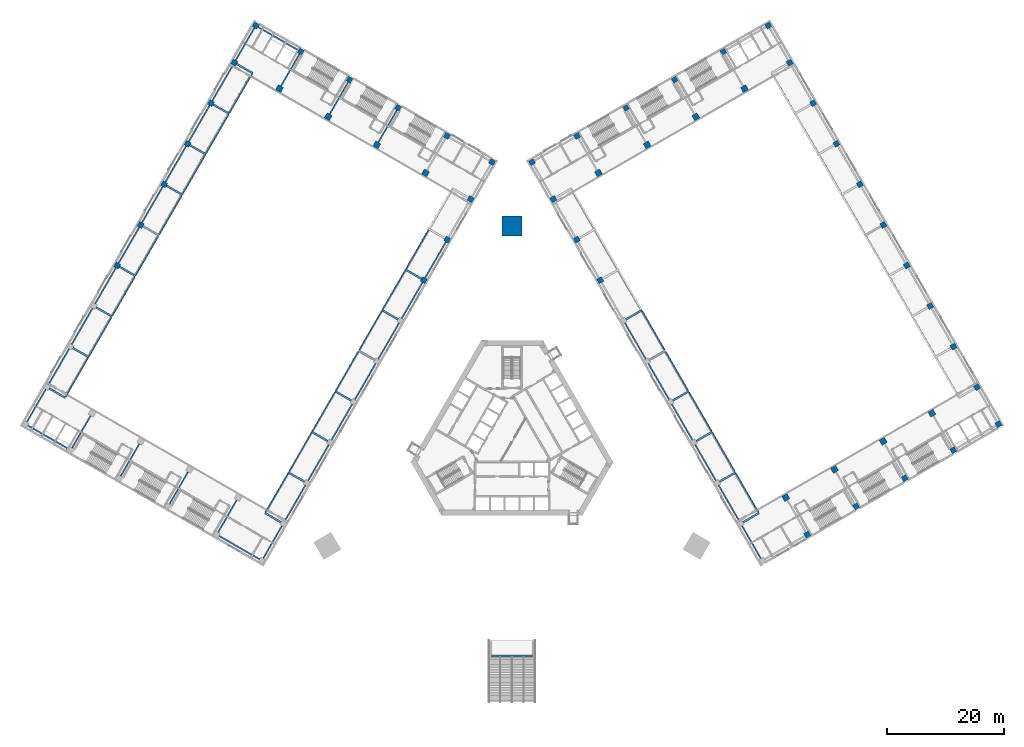
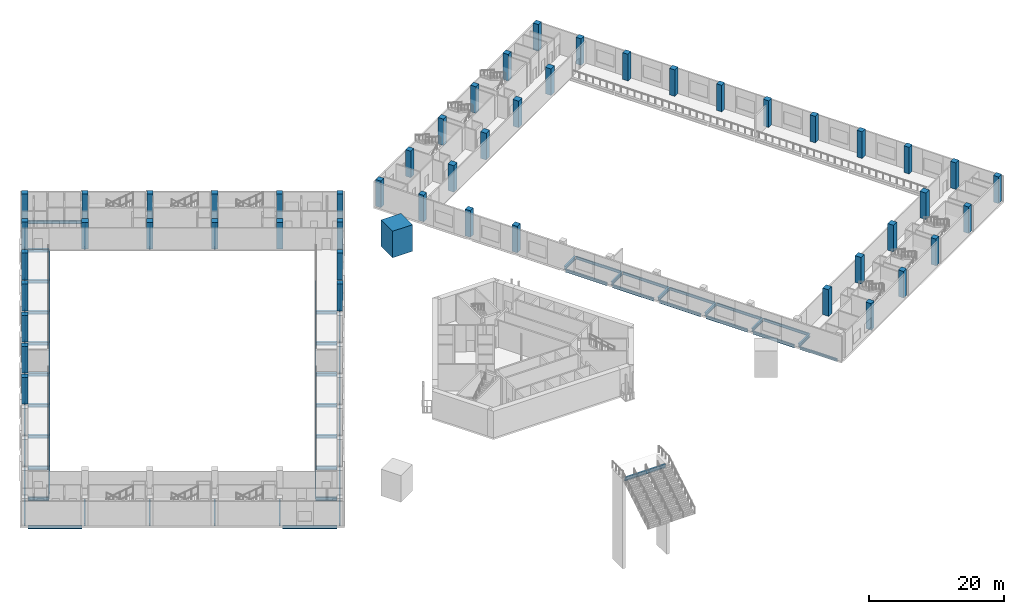
# One storey, part 3 of 28: 77 beams, 51 columns.
"""IFC4 building model written with IfcOpenShell, lengths in metres."""

from ifc_helpers import new_model, si_unit, direction, frame, origin, origin_2d, place, context, subcontext, project, spatial, rectangle, i_section, extrude, material, material_profile, profile_set, type_object, element, save


model = new_model("IFC4")

# Units and contexts
model_context = context("Model", 3, precision=1e-05, world=origin(), true_north=direction((0.0, 1.0)))
body_context = subcontext(model_context, "Body", "Model", "MODEL_VIEW")
ifc_project = project(units=[si_unit("LENGTHUNIT", "METRE"), si_unit("AREAUNIT", "SQUARE_METRE"), si_unit("VOLUMEUNIT", "CUBIC_METRE"), si_unit("PLANEANGLEUNIT", "RADIAN"), si_unit("MASSUNIT", "GRAM", prefix="KILO")], contexts=[model_context])

# Site, building, storey
site_placement = place(None, origin())
site = spatial("IfcSite", under=ifc_project, at=site_placement, CompositionType="ELEMENT")
building_placement = place(site_placement, origin())
building = spatial("IfcBuilding", under=site, at=building_placement, Name="Mestral Congress Tower", CompositionType="ELEMENT")
storey_placement = place(building_placement, frame((0.0, 0.0, 11.39990234375)))
storey = spatial("IfcBuildingStorey", under=building, at=storey_placement, Name="L02", CompositionType="ELEMENT", Elevation=11.39990234375)

# Columns
ifc_material_1 = material(Name="Concrete C80/95", Category="concrete")
ifc_material_profile_1 = material_profile(ifc_material_1, rectangle(XDim=3.39990234375, YDim=3.39990234375, at=origin_2d()), Name="RC 3400x3400")
ifc_profile_set_1 = profile_set([ifc_material_profile_1], Name="Concrete C80/95")
column_type_1 = type_object("IfcColumnType", Name="Mega column RC 3400x3400 C80/95", PredefinedType="COLUMN", material=ifc_profile_set_1)
column_placement = place(storey_placement, frame((0.0, 36.39892578125, 0.0), z_axis=(0.0, 0.0, 1.0), x_axis=(0.0, 1.0, 0.0)))
element("IfcColumn", 1, at=column_placement, inside=storey, type_object=column_type_1, Name="COL-L02-PY1-N", PredefinedType="COLUMN", context=body_context, shape_type="SweptSolid", body=[
    extrude(rectangle(XDim=3.39990234375, YDim=3.39990234375, at=origin_2d()), origin(), (0.0, 0.0, 1.0), 4.800048828125),
])
ifc_material_2 = material(Name="Concrete C60/75", Category="concrete")
ifc_material_profile_2 = material_profile(ifc_material_2, rectangle(XDim=1.0, YDim=1.0, at=origin_2d()), Name="RC 1000x1000")
ifc_profile_set_2 = profile_set([ifc_material_profile_2], Name="Concrete C60/75")
column_type_2 = type_object("IfcColumnType", Name="Podium column RC 1000x1000 C60/75", PredefinedType="COLUMN", material=ifc_profile_set_2)
for number, where, z_axis, x_axis, name in (
    (2, (46.76806640625, -9.94873046875, 0.0), (0.0, 0.0, 1.0), (-0.5, 0.866025403784, 0.0), "COL-L02-PC-E-02B"),
    (3, (55.08203125, -5.148681640625, 0.0), (0.0, 0.0, 1.0), (-0.5, 0.866025403784, 0.0), "COL-L02-PC-E-02C"),
    (4, (63.395751953125, -0.348876953125, 0.0), (0.0, 0.0, 1.0), (-0.5, 0.866025403784, 0.0), "COL-L02-PC-E-02D"),
    (5, (71.709716796875, 4.451171875, 0.0), (0.0, 0.0, 1.0), (-0.5, 0.866025403784, 0.0), "COL-L02-PC-E-02E"),
    (6, (14.76806640625, 45.476806640625, 0.0), (0.0, 0.0, 1.0), (-0.5, 0.866025403784, 0.0), "COL-L02-PC-E-10B"),
    (7, (23.08203125, 50.27685546875, 0.0), (0.0, 0.0, 1.0), (-0.5, 0.866025403784, 0.0), "COL-L02-PC-E-10C"),
    (8, (31.395751953125, 55.076904296875, 0.0), (0.0, 0.0, 1.0), (-0.5, 0.866025403784, 0.0), "COL-L02-PC-E-10D"),
    (9, (39.709716796875, 59.876708984375, 0.0), (0.0, 0.0, 1.0), (-0.5, 0.866025403784, 0.0), "COL-L02-PC-E-10E"),
    (10, (-14.76806640625, 45.476806640625, 0.0), (0.0, 0.0, 1.0), (-0.5, -0.866025403784, 0.0), "COL-L02-PC-W-02B"),
    (11, (-23.08203125, 50.27685546875, 0.0), (0.0, 0.0, 1.0), (-0.5, -0.866025403784, 0.0), "COL-L02-PC-W-02C"),
    (12, (-31.395751953125, 55.076904296875, 0.0), (0.0, 0.0, 1.0), (-0.5, -0.866025403784, 0.0), "COL-L02-PC-W-02D"),
    (13, (-39.709716796875, 59.876708984375, 0.0), (0.0, 0.0, 1.0), (-0.5, -0.866025403784, 0.0), "COL-L02-PC-W-02E"),
):
    element("IfcColumn", number, at=place(storey_placement, frame(where, z_axis=z_axis, x_axis=x_axis)), inside=storey, type_object=column_type_2, Name=name, PredefinedType="COLUMN", context=body_context, shape_type="SweptSolid", body=[
        extrude(rectangle(XDim=1.0, YDim=1.0, at=origin_2d()), origin(), (0.0, 0.0, 1.0), 4.800048828125),
    ])
ifc_material_3 = material(Name="Concrete C50/60", Category="concrete")
ifc_material_profile_3 = material_profile(ifc_material_3, rectangle(XDim=0.89990234375, YDim=0.89990234375, at=origin_2d()), Name="RC 900x900")
ifc_profile_set_3 = profile_set([ifc_material_profile_3], Name="Concrete C50/60")
column_type_3 = type_object("IfcColumnType", Name="Podium column RC 900x900 C50/60", PredefinedType="COLUMN", material=ifc_profile_set_3)
for number, where, z_axis, x_axis, name in (
    (14, (50.418212890625, -16.270751953125, 0.0), (0.0, 0.0, 1.0), (-0.5, 0.866025403784, 0.0), "COL-L02-PC-E-01B"),
    (15, (58.73193359375, -11.470703125, 0.0), (0.0, 0.0, 1.0), (-0.5, 0.866025403784, 0.0), "COL-L02-PC-E-01C"),
    (16, (67.0458984375, -6.6708984375, 0.0), (0.0, 0.0, 1.0), (-0.5, 0.866025403784, 0.0), "COL-L02-PC-E-01D"),
    (17, (75.359619140625, -1.870849609375, 0.0), (0.0, 0.0, 1.0), (-0.5, 0.866025403784, 0.0), "COL-L02-PC-E-01E"),
    (18, (83.0673828125, 2.5791015625, 0.0), (0.0, 0.0, 1.0), (-0.5, 0.866025403784, 0.0), "COL-L02-PC-E-01F"),
    (19, (79.417236328125, 8.901123046875, 0.0), (0.0, 0.0, 1.0), (-0.5, 0.866025403784, 0.0), "COL-L02-PC-E-02F"),
    (20, (75.417236328125, 15.829345703125, 0.0), (0.0, 0.0, 1.0), (-0.5, 0.866025403784, 0.0), "COL-L02-PC-E-03F"),
    (21, (71.417236328125, 22.757568359375, 0.0), (0.0, 0.0, 1.0), (-0.5, 0.866025403784, 0.0), "COL-L02-PC-E-04F"),
    (22, (67.417236328125, 29.685791015625, 0.0), (0.0, 0.0, 1.0), (-0.5, 0.866025403784, 0.0), "COL-L02-PC-E-05F"),
    (23, (63.417236328125, 36.614013671875, 0.0), (0.0, 0.0, 1.0), (-0.5, 0.866025403784, 0.0), "COL-L02-PC-E-06F"),
    (24, (59.417236328125, 43.542236328125, 0.0), (0.0, 0.0, 1.0), (-0.5, 0.866025403784, 0.0), "COL-L02-PC-E-07F"),
    (25, (15.060546875, 27.17041015625, 0.0), (0.0, 0.0, 1.0), (-0.5, 0.866025403784, 0.0), "COL-L02-PC-E-08A"),
    (26, (55.417236328125, 50.470458984375, 0.0), (0.0, 0.0, 1.0), (-0.5, 0.866025403784, 0.0), "COL-L02-PC-E-08F"),
    (27, (11.060546875, 34.0986328125, 0.0), (0.0, 0.0, 1.0), (-0.5, 0.866025403784, 0.0), "COL-L02-PC-E-09A"),
    (28, (51.417236328125, 57.398681640625, 0.0), (0.0, 0.0, 1.0), (-0.5, 0.866025403784, 0.0), "COL-L02-PC-E-09F"),
    (29, (7.060546875, 41.02685546875, 0.0), (0.0, 0.0, 1.0), (-0.5, 0.866025403784, 0.0), "COL-L02-PC-E-10A"),
    (30, (47.417236328125, 64.326904296875, 0.0), (0.0, 0.0, 1.0), (-0.5, 0.866025403784, 0.0), "COL-L02-PC-E-10F"),
    (31, (3.410400390625, 47.348876953125, 0.0), (0.0, 0.0, 1.0), (-0.5, 0.866025403784, 0.0), "COL-L02-PC-E-11A"),
    (32, (11.1181640625, 51.798828125, 0.0), (0.0, 0.0, 1.0), (-0.5, 0.866025403784, 0.0), "COL-L02-PC-E-11B"),
    (33, (19.431884765625, 56.598876953125, 0.0), (0.0, 0.0, 1.0), (-0.5, 0.866025403784, 0.0), "COL-L02-PC-E-11C"),
    (34, (27.745849609375, 61.398681640625, 0.0), (0.0, 0.0, 1.0), (-0.5, 0.866025403784, 0.0), "COL-L02-PC-E-11D"),
    (35, (36.059814453125, 66.19873046875, 0.0), (0.0, 0.0, 1.0), (-0.5, 0.866025403784, 0.0), "COL-L02-PC-E-11E"),
    (36, (43.767333984375, 70.648681640625, 0.0), (0.0, 0.0, 1.0), (-0.5, 0.866025403784, 0.0), "COL-L02-PC-E-11F"),
    (37, (-3.410400390625, 47.348876953125, 0.0), (0.0, 0.0, 1.0), (-0.5, -0.866025403784, 0.0), "COL-L02-PC-W-01A"),
    (38, (-11.1181640625, 51.798828125, 0.0), (0.0, 0.0, 1.0), (-0.5, -0.866025403784, 0.0), "COL-L02-PC-W-01B"),
    (39, (-19.431884765625, 56.598876953125, 0.0), (0.0, 0.0, 1.0), (-0.5, -0.866025403784, 0.0), "COL-L02-PC-W-01C"),
    (40, (-27.745849609375, 61.398681640625, 0.0), (0.0, 0.0, 1.0), (-0.5, -0.866025403784, 0.0), "COL-L02-PC-W-01D"),
    (41, (-36.059814453125, 66.19873046875, 0.0), (0.0, 0.0, 1.0), (-0.5, -0.866025403784, 0.0), "COL-L02-PC-W-01E"),
    (42, (-43.767333984375, 70.648681640625, 0.0), (0.0, 0.0, 1.0), (-0.5, -0.866025403784, 0.0), "COL-L02-PC-W-01F"),
    (43, (-7.060546875, 41.02685546875, 0.0), (0.0, 0.0, 1.0), (-0.5, -0.866025403784, 0.0), "COL-L02-PC-W-02A"),
    (44, (-47.417236328125, 64.326904296875, 0.0), (0.0, 0.0, 1.0), (-0.5, -0.866025403784, 0.0), "COL-L02-PC-W-02F"),
    (45, (-11.060546875, 34.0986328125, 0.0), (0.0, 0.0, 1.0), (-0.5, -0.866025403784, 0.0), "COL-L02-PC-W-03A"),
    (46, (-51.417236328125, 57.398681640625, 0.0), (0.0, 0.0, 1.0), (-0.5, -0.866025403784, 0.0), "COL-L02-PC-W-03F"),
    (47, (-15.060546875, 27.17041015625, 0.0), (0.0, 0.0, 1.0), (-0.5, -0.866025403784, 0.0), "COL-L02-PC-W-04A"),
    (48, (-55.417236328125, 50.470458984375, 0.0), (0.0, 0.0, 1.0), (-0.5, -0.866025403784, 0.0), "COL-L02-PC-W-04F"),
    (49, (-59.417236328125, 43.542236328125, 0.0), (0.0, 0.0, 1.0), (-0.5, -0.866025403784, 0.0), "COL-L02-PC-W-05F"),
    (50, (-63.417236328125, 36.614013671875, 0.0), (0.0, 0.0, 1.0), (-0.5, -0.866025403784, 0.0), "COL-L02-PC-W-06F"),
    (51, (-67.417236328125, 29.685791015625, 0.0), (0.0, 0.0, 1.0), (-0.5, -0.866025403784, 0.0), "COL-L02-PC-W-07F"),
):
    element("IfcColumn", number, at=place(storey_placement, frame(where, z_axis=z_axis, x_axis=x_axis)), inside=storey, type_object=column_type_3, Name=name, PredefinedType="COLUMN", context=body_context, shape_type="SweptSolid", body=[
        extrude(rectangle(XDim=0.89990234375, YDim=0.89990234375, at=origin_2d()), origin(), (0.0, 0.0, 1.0), 4.800048828125),
    ])

# Beams
ifc_material_4 = material(Name="Steel S355", Category="steel")
ifc_material_profile_4 = material_profile(ifc_material_4, i_section(OverallWidth=0.300048828125, OverallDepth=0.60009765625, WebThickness=0.015380859375, FlangeThickness=0.030029296875, FilletRadius=0.027099609375, at=origin_2d()), Name="HEB 600")
ifc_profile_set_4 = profile_set([ifc_material_profile_4], Name="Steel S355")
beam_type_1 = type_object("IfcBeamType", Name="Floor beam HEB 600 S355", PredefinedType="BEAM", material=ifc_profile_set_4)
for number, where, z_axis, x_axis, name in (
    (52, (39.4501953125, -14.173828125, -0.599853515625), (0.866035871367, 0.499981869177, 0.0), (-0.499981869177, 0.866035871367, 0.0), "BM-L02-E-G02A"),
    (53, (35.4501953125, -7.24560546875, -0.599853515625), (0.866035871367, 0.499981869177, 0.0), (-0.499981869177, 0.866035871367, 0.0), "BM-L02-E-G03A"),
    (54, (31.4501953125, -0.3173828125, -0.599853515625), (0.866035871367, 0.499981869177, 0.0), (-0.499981869177, 0.866035871367, 0.0), "BM-L02-E-G04A"),
    (55, (27.4501953125, 6.61083984375, -0.599853515625), (0.866035871367, 0.499981869177, 0.0), (-0.499981869177, 0.866035871367, 0.0), "BM-L02-E-G05A"),
    (56, (23.4501953125, 13.5390625, -0.599853515625), (0.866035871367, 0.499981869177, 0.0), (-0.499981869177, 0.866035871367, 0.0), "BM-L02-E-G06A"),
    (57, (19.4501953125, 20.46728515625, -0.599853515625), (0.866035871367, 0.499981869177, 0.0), (-0.499981869177, 0.866035871367, 0.0), "BM-L02-E-G07A"),
    (58, (-47.027587890625, 64.101806640625, -0.599853515625), (0.866035871367, -0.499981869177, 0.0), (0.499981869177, 0.866035871367, 0.0), "BM-L02-W-G02F"),
    (59, (-51.027587890625, 57.173583984375, -0.599853515625), (0.866035871367, -0.499981869177, 0.0), (0.499981869177, 0.866035871367, 0.0), "BM-L02-W-G03F"),
    (60, (-15.4501953125, 27.3955078125, -0.599853515625), (-0.866035871367, 0.499981869177, 0.0), (-0.499981869177, -0.866035871367, 0.0), "BM-L02-W-G04A"),
    (61, (-55.027587890625, 50.245361328125, -0.599853515625), (0.866035871367, -0.499981869177, 0.0), (0.499981869177, 0.866035871367, 0.0), "BM-L02-W-G04F"),
    (62, (-19.4501953125, 20.46728515625, -0.599853515625), (-0.866035871367, 0.499981869177, 0.0), (-0.499981869177, -0.866035871367, 0.0), "BM-L02-W-G05A"),
    (63, (-59.027587890625, 43.317138671875, -0.599853515625), (0.866035871367, -0.499981869177, 0.0), (0.499981869177, 0.866035871367, 0.0), "BM-L02-W-G05F"),
    (64, (-23.4501953125, 13.5390625, -0.599853515625), (-0.866035871367, 0.499981869177, 0.0), (-0.499981869177, -0.866035871367, 0.0), "BM-L02-W-G06A"),
    (65, (-63.027587890625, 36.388916015625, -0.599853515625), (0.866035871367, -0.499981869177, 0.0), (0.499981869177, 0.866035871367, 0.0), "BM-L02-W-G06F"),
    (66, (-27.4501953125, 6.61083984375, -0.599853515625), (-0.866035871367, 0.499981869177, 0.0), (-0.499981869177, -0.866035871367, 0.0), "BM-L02-W-G07A"),
    (67, (-67.027587890625, 29.460693359375, -0.599853515625), (0.866035871367, -0.499981869177, 0.0), (0.499981869177, 0.866035871367, 0.0), "BM-L02-W-G07F"),
    (68, (-31.4501953125, -0.3173828125, -0.599853515625), (-0.866035871367, 0.499981869177, 0.0), (-0.499981869177, -0.866035871367, 0.0), "BM-L02-W-G08A"),
):
    element("IfcBeam", number, at=place(storey_placement, frame(where, z_axis=z_axis, x_axis=x_axis)), inside=storey, type_object=beam_type_1, Name=name, PredefinedType="BEAM", context=body_context, shape_type="SweptSolid", body=[
        extrude(i_section(OverallWidth=0.300048828125, OverallDepth=0.60009765625, WebThickness=0.015380859375, FlangeThickness=0.030029296875, FilletRadius=0.027099609375, at=origin_2d()), origin(), (0.0, 0.0, 1.0), 3.14990234375),
    ])
beam_1_placement = place(storey_placement, frame((-71.027587890625, 22.53271484375, -0.599853515625), z_axis=(0.866002311072, -0.500039995618, 0.0), x_axis=(0.500039995618, 0.866002311072, 0.0)))
element("IfcBeam", 69, at=beam_1_placement, inside=storey, type_object=beam_type_1, Name="BM-L02-W-G08F", PredefinedType="BEAM", context=body_context, shape_type="SweptSolid", body=[
    extrude(i_section(OverallWidth=0.300048828125, OverallDepth=0.60009765625, WebThickness=0.015380859375, FlangeThickness=0.030029296875, FilletRadius=0.027099609375, at=origin_2d()), origin(), (0.0, 0.0, 1.0), 3.150146484375),
])
beam_2_placement = place(storey_placement, frame((-35.4501953125, -7.24560546875, -0.599853515625), z_axis=(-0.866035871367, 0.499981869177, 0.0), x_axis=(-0.499981869177, -0.866035871367, 0.0)))
element("IfcBeam", 70, at=beam_2_placement, inside=storey, type_object=beam_type_1, Name="BM-L02-W-G09A", PredefinedType="BEAM", context=body_context, shape_type="SweptSolid", body=[
    extrude(i_section(OverallWidth=0.300048828125, OverallDepth=0.60009765625, WebThickness=0.015380859375, FlangeThickness=0.030029296875, FilletRadius=0.027099609375, at=origin_2d()), origin(), (0.0, 0.0, 1.0), 3.14990234375),
])
beam_3_placement = place(storey_placement, frame((-75.027587890625, 15.6044921875, -0.599853515625), z_axis=(0.866002311072, -0.500039995618, 0.0), x_axis=(0.500039995618, 0.866002311072, 0.0)))
element("IfcBeam", 71, at=beam_3_placement, inside=storey, type_object=beam_type_1, Name="BM-L02-W-G09F", PredefinedType="BEAM", context=body_context, shape_type="SweptSolid", body=[
    extrude(i_section(OverallWidth=0.300048828125, OverallDepth=0.60009765625, WebThickness=0.015380859375, FlangeThickness=0.030029296875, FilletRadius=0.027099609375, at=origin_2d()), origin(), (0.0, 0.0, 1.0), 3.150146484375),
])
for number, where, z_axis, x_axis, name in (
    (72, (-39.4501953125, -14.173828125, -0.599853515625), (-0.866035871367, 0.499981869177, 0.0), (-0.499981869177, -0.866035871367, 0.0), "BM-L02-W-G10A"),
    (73, (-79.027587890625, 8.67626953125, -0.599853515625), (0.866035871367, -0.499981869177, 0.0), (0.499981869177, 0.866035871367, 0.0), "BM-L02-W-G10F"),
):
    element("IfcBeam", number, at=place(storey_placement, frame(where, z_axis=z_axis, x_axis=x_axis)), inside=storey, type_object=beam_type_1, Name=name, PredefinedType="BEAM", context=body_context, shape_type="SweptSolid", body=[
        extrude(i_section(OverallWidth=0.300048828125, OverallDepth=0.60009765625, WebThickness=0.015380859375, FlangeThickness=0.030029296875, FilletRadius=0.027099609375, at=origin_2d()), origin(), (0.0, 0.0, 1.0), 3.14990234375),
    ])
beam_4_placement = place(storey_placement, frame((-3.5, -37.028076171875, 4.2001953125), z_axis=(1.0, 0.0, 0.0), x_axis=(0.0, 1.0, 0.0)))
element("IfcBeam", 74, at=beam_4_placement, inside=storey, type_object=beam_type_1, Name="BM-TERR-1", PredefinedType="BEAM", context=body_context, shape_type="SweptSolid", body=[
    extrude(i_section(OverallWidth=0.300048828125, OverallDepth=0.60009765625, WebThickness=0.015380859375, FlangeThickness=0.030029296875, FilletRadius=0.027099609375, at=origin_2d()), origin(), (0.0, 0.0, 1.0), 7.0),
])
ifc_material_profile_5 = material_profile(ifc_material_4, i_section(OverallWidth=0.199951171875, OverallDepth=0.5, WebThickness=0.01025390625, FlangeThickness=0.01611328125, FilletRadius=0.02099609375, at=origin_2d()), Name="IPE 500")
ifc_profile_set_5 = profile_set([ifc_material_profile_5], Name="Steel S355")
beam_type_2 = type_object("IfcBeamType", Name="Floor beam IPE 500 S355", PredefinedType="BEAM", material=ifc_profile_set_5)
beam_5_placement = place(storey_placement, frame((42.485595703125, -20.3310546875, -0.5498046875), z_axis=(-0.500028443584, 0.866008981251, 0.0), x_axis=(-0.866008981251, -0.500028443584, 0.0)))
element("IfcBeam", 75, at=beam_5_placement, inside=storey, type_object=beam_type_2, Name="BM-L02-E-U01A", PredefinedType="BEAM", context=body_context, shape_type="SweptSolid", body=[
    extrude(i_section(OverallWidth=0.199951171875, OverallDepth=0.5, WebThickness=0.01025390625, FlangeThickness=0.01611328125, FilletRadius=0.02099609375, at=origin_2d()), origin(), (0.0, 0.0, 1.0), 6.400146484375),
])
for number, where, z_axis, x_axis, name in (
    (76, (42.103271484375, -12.468994140625, -0.5498046875), (-0.500006057782, 0.866021906294, 0.0), (-0.866021906294, -0.500006057782, 0.0), "BM-L02-E-T02A"),
    (77, (38.103271484375, -5.540771484375, -0.5498046875), (-0.500006057782, 0.866021906294, 0.0), (-0.866021906294, -0.500006057782, 0.0), "BM-L02-E-T03A"),
    (78, (34.103271484375, 1.387451171875, -0.5498046875), (-0.500006057782, 0.866021906294, 0.0), (-0.866021906294, -0.500006057782, 0.0), "BM-L02-E-T04A"),
    (79, (30.103271484375, 8.315673828125, -0.5498046875), (-0.500006057782, 0.866021906294, 0.0), (-0.866021906294, -0.500006057782, 0.0), "BM-L02-E-T05A"),
    (80, (26.103271484375, 15.243896484375, -0.5498046875), (-0.500006057782, 0.866021906294, 0.0), (-0.866021906294, -0.500006057782, 0.0), "BM-L02-E-T06A"),
):
    element("IfcBeam", number, at=place(storey_placement, frame(where, z_axis=z_axis, x_axis=x_axis)), inside=storey, type_object=beam_type_2, Name=name, PredefinedType="BEAM", context=body_context, shape_type="SweptSolid", body=[
        extrude(i_section(OverallWidth=0.199951171875, OverallDepth=0.5, WebThickness=0.01025390625, FlangeThickness=0.01611328125, FilletRadius=0.02099609375, at=origin_2d()), origin(), (0.0, 0.0, 1.0), 7.7001953125),
    ])
beam_6_placement = place(storey_placement, frame((-39.285400390625, -14.78857421875, -0.5498046875), z_axis=(-0.500028443584, -0.866008981251, 0.0), x_axis=(0.866008981251, -0.500028443584, 0.0)))
element("IfcBeam", 81, at=beam_6_placement, inside=storey, type_object=beam_type_2, Name="BM-L02-W-U10A", PredefinedType="BEAM", context=body_context, shape_type="SweptSolid", body=[
    extrude(i_section(OverallWidth=0.199951171875, OverallDepth=0.5, WebThickness=0.01025390625, FlangeThickness=0.01611328125, FilletRadius=0.02099609375, at=origin_2d()), origin(), (0.0, 0.0, 1.0), 6.400146484375),
])
for number, where, z_axis, x_axis, name in (
    (82, (-47.01806640625, -10.3818359375, -0.5498046875), (-0.500005339912, -0.866022320763, 0.0), (0.866022320763, -0.500005339912, 0.0), "BM-L02-W-U10B"),
    (83, (-19.656982421875, 56.208984375, -0.5498046875), (-0.500005339912, -0.866022320763, 0.0), (0.866022320763, -0.500005339912, 0.0), "BM-L02-W-U01C"),
    (84, (-55.33203125, -5.581787109375, -0.5498046875), (-0.500005339912, -0.866022320763, 0.0), (0.866022320763, -0.500005339912, 0.0), "BM-L02-W-U10C"),
    (85, (-27.970703125, 61.009033203125, -0.5498046875), (-0.500005339912, -0.866022320763, 0.0), (0.866022320763, -0.500005339912, 0.0), "BM-L02-W-U01D"),
    (86, (-63.645751953125, -0.78173828125, -0.5498046875), (-0.500005339912, -0.866022320763, 0.0), (0.866022320763, -0.500005339912, 0.0), "BM-L02-W-U10D"),
    (87, (-36.28466796875, 65.80908203125, -0.5498046875), (-0.500005339912, -0.866022320763, 0.0), (0.866022320763, -0.500005339912, 0.0), "BM-L02-W-U01E"),
):
    element("IfcBeam", number, at=place(storey_placement, frame(where, z_axis=z_axis, x_axis=x_axis)), inside=storey, type_object=beam_type_2, Name=name, PredefinedType="BEAM", context=body_context, shape_type="SweptSolid", body=[
        extrude(i_section(OverallWidth=0.199951171875, OverallDepth=0.5, WebThickness=0.01025390625, FlangeThickness=0.01611328125, FilletRadius=0.02099609375, at=origin_2d()), origin(), (0.0, 0.0, 1.0), 6.35009765625),
    ])
beam_7_placement = place(storey_placement, frame((-71.959716796875, 4.018310546875, -0.5498046875), z_axis=(-0.499988692146, -0.866031932279, 0.0), x_axis=(0.866031932279, -0.499988692146, 0.0)))
element("IfcBeam", 88, at=beam_7_placement, inside=storey, type_object=beam_type_2, Name="BM-L02-W-U10E", PredefinedType="BEAM", context=body_context, shape_type="SweptSolid", body=[
    extrude(i_section(OverallWidth=0.199951171875, OverallDepth=0.5, WebThickness=0.01025390625, FlangeThickness=0.01611328125, FilletRadius=0.02099609375, at=origin_2d()), origin(), (0.0, 0.0, 1.0), 6.350341796875),
])
beam_8_placement = place(storey_placement, frame((-43.9921875, 70.259033203125, -0.5498046875), z_axis=(-0.500028443584, -0.866008981251, 0.0), x_axis=(0.866008981251, -0.500028443584, 0.0)))
element("IfcBeam", 89, at=beam_8_placement, inside=storey, type_object=beam_type_2, Name="BM-L02-W-U01F", PredefinedType="BEAM", context=body_context, shape_type="SweptSolid", body=[
    extrude(i_section(OverallWidth=0.199951171875, OverallDepth=0.5, WebThickness=0.01025390625, FlangeThickness=0.01611328125, FilletRadius=0.02099609375, at=origin_2d()), origin(), (0.0, 0.0, 1.0), 6.400146484375),
])
beam_9_placement = place(storey_placement, frame((-79.642333984375, 8.511474609375, -0.5498046875), z_axis=(-0.499999833739, -0.866025499775, 0.0), x_axis=(0.866025499775, -0.499999833739, 0.0)))
element("IfcBeam", 90, at=beam_9_placement, inside=storey, type_object=beam_type_2, Name="BM-L02-W-U10F", PredefinedType="BEAM", context=body_context, shape_type="SweptSolid", body=[
    extrude(i_section(OverallWidth=0.199951171875, OverallDepth=0.5, WebThickness=0.01025390625, FlangeThickness=0.01611328125, FilletRadius=0.02099609375, at=origin_2d()), origin(), (0.0, 0.0, 1.0), 6.39990234375),
])
for number, where, z_axis, x_axis, name in (
    (91, (-14.253173828125, 35.768798828125, -0.5498046875), (-0.500006057782, -0.866021906294, 0.0), (0.866021906294, -0.500006057782, 0.0), "BM-L02-W-T03A"),
    (92, (-18.253173828125, 28.840576171875, -0.5498046875), (-0.500006057782, -0.866021906294, 0.0), (0.866021906294, -0.500006057782, 0.0), "BM-L02-W-T04A"),
    (93, (-22.253173828125, 21.912353515625, -0.5498046875), (-0.500006057782, -0.866021906294, 0.0), (0.866021906294, -0.500006057782, 0.0), "BM-L02-W-T05A"),
    (94, (-26.253173828125, 14.984130859375, -0.5498046875), (-0.500006057782, -0.866021906294, 0.0), (0.866021906294, -0.500006057782, 0.0), "BM-L02-W-T06A"),
    (95, (-30.253173828125, 8.055908203125, -0.5498046875), (-0.500006057782, -0.866021906294, 0.0), (0.866021906294, -0.500006057782, 0.0), "BM-L02-W-T07A"),
    (96, (-34.253173828125, 1.127685546875, -0.5498046875), (-0.500006057782, -0.866021906294, 0.0), (0.866021906294, -0.500006057782, 0.0), "BM-L02-W-T08A"),
    (97, (-38.253173828125, -5.800537109375, -0.5498046875), (-0.500006057782, -0.866021906294, 0.0), (0.866021906294, -0.500006057782, 0.0), "BM-L02-W-T09A"),
    (98, (-44.37451171875, 62.39697265625, -0.5498046875), (-0.500006057782, -0.866021906294, 0.0), (0.866021906294, -0.500006057782, 0.0), "BM-L02-W-T02F"),
    (99, (-48.37451171875, 55.46875, -0.5498046875), (-0.500006057782, -0.866021906294, 0.0), (0.866021906294, -0.500006057782, 0.0), "BM-L02-W-T03F"),
    (100, (-52.37451171875, 48.54052734375, -0.5498046875), (-0.500006057782, -0.866021906294, 0.0), (0.866021906294, -0.500006057782, 0.0), "BM-L02-W-T04F"),
    (101, (-56.37451171875, 41.6123046875, -0.5498046875), (-0.500006057782, -0.866021906294, 0.0), (0.866021906294, -0.500006057782, 0.0), "BM-L02-W-T05F"),
    (102, (-60.37451171875, 34.68408203125, -0.5498046875), (-0.500006057782, -0.866021906294, 0.0), (0.866021906294, -0.500006057782, 0.0), "BM-L02-W-T06F"),
    (103, (-64.37451171875, 27.755859375, -0.5498046875), (-0.500006057782, -0.866021906294, 0.0), (0.866021906294, -0.500006057782, 0.0), "BM-L02-W-T07F"),
    (104, (-68.37451171875, 20.82763671875, -0.5498046875), (-0.500006057782, -0.866021906294, 0.0), (0.866021906294, -0.500006057782, 0.0), "BM-L02-W-T08F"),
):
    element("IfcBeam", number, at=place(storey_placement, frame(where, z_axis=z_axis, x_axis=x_axis)), inside=storey, type_object=beam_type_2, Name=name, PredefinedType="BEAM", context=body_context, shape_type="SweptSolid", body=[
        extrude(i_section(OverallWidth=0.199951171875, OverallDepth=0.5, WebThickness=0.01025390625, FlangeThickness=0.01611328125, FilletRadius=0.02099609375, at=origin_2d()), origin(), (0.0, 0.0, 1.0), 7.7001953125),
    ])
beam_10_placement = place(storey_placement, frame((-72.37451171875, 13.8994140625, -0.5498046875), z_axis=(-0.500019787375, -0.866013979237, 0.0), x_axis=(0.866013979237, -0.500019787375, 0.0)))
element("IfcBeam", 105, at=beam_10_placement, inside=storey, type_object=beam_type_2, Name="BM-L02-W-T09F", PredefinedType="BEAM", context=body_context, shape_type="SweptSolid", body=[
    extrude(i_section(OverallWidth=0.199951171875, OverallDepth=0.5, WebThickness=0.01025390625, FlangeThickness=0.01611328125, FilletRadius=0.02099609375, at=origin_2d()), origin(), (0.0, 0.0, 1.0), 7.699951171875),
])
ifc_material_profile_6 = material_profile(ifc_material_4, i_section(OverallWidth=0.2099609375, OverallDepth=0.550048828125, WebThickness=0.010986328125, FlangeThickness=0.01708984375, FilletRadius=0.02392578125, at=origin_2d()), Name="IPE 550")
ifc_profile_set_6 = profile_set([ifc_material_profile_6], Name="Steel S355")
beam_type_3 = type_object("IfcBeamType", Name="Floor beam IPE 550 S355", PredefinedType="BEAM", material=ifc_profile_set_6)
for number, where, z_axis, x_axis, name in (
    (106, (38.83544921875, -14.009033203125, -0.574951171875), (-0.500011179042, 0.866018949465, 0.0), (-0.866018949465, -0.500011179042, 0.0), "BM-L02-E-U02A"),
    (107, (34.83544921875, -7.080810546875, -0.574951171875), (-0.500011179042, 0.866018949465, 0.0), (-0.866018949465, -0.500011179042, 0.0), "BM-L02-E-U03A"),
    (108, (30.83544921875, -0.152587890625, -0.574951171875), (-0.500011179042, 0.866018949465, 0.0), (-0.866018949465, -0.500011179042, 0.0), "BM-L02-E-U04A"),
):
    element("IfcBeam", number, at=place(storey_placement, frame(where, z_axis=z_axis, x_axis=x_axis)), inside=storey, type_object=beam_type_3, Name=name, PredefinedType="BEAM", context=body_context, shape_type="SweptSolid", body=[
        extrude(i_section(OverallWidth=0.2099609375, OverallDepth=0.550048828125, WebThickness=0.010986328125, FlangeThickness=0.01708984375, FilletRadius=0.02392578125, at=origin_2d()), origin(), (0.0, 0.0, 1.0), 7.099853515625),
    ])
for number, where, z_axis, x_axis, name in (
    (109, (26.83544921875, 6.775390625, -0.574951171875), (-0.499996289485, 0.866027546041, 0.0), (-0.866027546041, -0.499996289485, 0.0), "BM-L02-E-U05A"),
    (110, (22.83544921875, 13.70361328125, -0.574951171875), (-0.499996289485, 0.866027546041, 0.0), (-0.866027546041, -0.499996289485, 0.0), "BM-L02-E-U06A"),
    (111, (-11.285400390625, 33.708984375, -0.574951171875), (-0.499996289485, -0.866027546041, 0.0), (0.866027546041, -0.499996289485, 0.0), "BM-L02-W-U03A"),
    (112, (-15.285400390625, 26.78076171875, -0.574951171875), (-0.499996289485, -0.866027546041, 0.0), (0.866027546041, -0.499996289485, 0.0), "BM-L02-W-U04A"),
    (113, (-19.285400390625, 19.8525390625, -0.574951171875), (-0.499996289485, -0.866027546041, 0.0), (0.866027546041, -0.499996289485, 0.0), "BM-L02-W-U05A"),
    (114, (-23.285400390625, 12.92431640625, -0.574951171875), (-0.499996289485, -0.866027546041, 0.0), (0.866027546041, -0.499996289485, 0.0), "BM-L02-W-U06A"),
):
    element("IfcBeam", number, at=place(storey_placement, frame(where, z_axis=z_axis, x_axis=x_axis)), inside=storey, type_object=beam_type_3, Name=name, PredefinedType="BEAM", context=body_context, shape_type="SweptSolid", body=[
        extrude(i_section(OverallWidth=0.2099609375, OverallDepth=0.550048828125, WebThickness=0.010986328125, FlangeThickness=0.01708984375, FilletRadius=0.02392578125, at=origin_2d()), origin(), (0.0, 0.0, 1.0), 7.10009765625),
    ])
for number, where, z_axis, x_axis, name in (
    (115, (-27.285400390625, 5.99609375, -0.574951171875), (-0.500011179042, -0.866018949465, 0.0), (0.866018949465, -0.500011179042, 0.0), "BM-L02-W-U07A"),
    (116, (-31.285400390625, -0.93212890625, -0.574951171875), (-0.500011179042, -0.866018949465, 0.0), (0.866018949465, -0.500011179042, 0.0), "BM-L02-W-U08A"),
    (117, (-35.285400390625, -7.8603515625, -0.574951171875), (-0.500011179042, -0.866018949465, 0.0), (0.866018949465, -0.500011179042, 0.0), "BM-L02-W-U09A"),
    (118, (-47.642333984375, 63.93701171875, -0.574951171875), (-0.500011179042, -0.866018949465, 0.0), (0.866018949465, -0.500011179042, 0.0), "BM-L02-W-U02F"),
    (119, (-51.642333984375, 57.0087890625, -0.574951171875), (-0.500011179042, -0.866018949465, 0.0), (0.866018949465, -0.500011179042, 0.0), "BM-L02-W-U03F"),
):
    element("IfcBeam", number, at=place(storey_placement, frame(where, z_axis=z_axis, x_axis=x_axis)), inside=storey, type_object=beam_type_3, Name=name, PredefinedType="BEAM", context=body_context, shape_type="SweptSolid", body=[
        extrude(i_section(OverallWidth=0.2099609375, OverallDepth=0.550048828125, WebThickness=0.010986328125, FlangeThickness=0.01708984375, FilletRadius=0.02392578125, at=origin_2d()), origin(), (0.0, 0.0, 1.0), 7.099853515625),
    ])
for number, where, z_axis, x_axis, name in (
    (120, (-55.642333984375, 50.080810546875, -0.574951171875), (-0.499996289485, -0.866027546041, 0.0), (0.866027546041, -0.499996289485, 0.0), "BM-L02-W-U04F"),
    (121, (-59.642333984375, 43.152587890625, -0.574951171875), (-0.499996289485, -0.866027546041, 0.0), (0.866027546041, -0.499996289485, 0.0), "BM-L02-W-U05F"),
    (122, (-63.642333984375, 36.224365234375, -0.574951171875), (-0.499996289485, -0.866027546041, 0.0), (0.866027546041, -0.499996289485, 0.0), "BM-L02-W-U06F"),
    (123, (-67.642333984375, 29.296142578125, -0.574951171875), (-0.499996289485, -0.866027546041, 0.0), (0.866027546041, -0.499996289485, 0.0), "BM-L02-W-U07F"),
    (124, (-71.642333984375, 22.367919921875, -0.574951171875), (-0.499996289485, -0.866027546041, 0.0), (0.866027546041, -0.499996289485, 0.0), "BM-L02-W-U08F"),
):
    element("IfcBeam", number, at=place(storey_placement, frame(where, z_axis=z_axis, x_axis=x_axis)), inside=storey, type_object=beam_type_3, Name=name, PredefinedType="BEAM", context=body_context, shape_type="SweptSolid", body=[
        extrude(i_section(OverallWidth=0.2099609375, OverallDepth=0.550048828125, WebThickness=0.010986328125, FlangeThickness=0.01708984375, FilletRadius=0.02392578125, at=origin_2d()), origin(), (0.0, 0.0, 1.0), 7.10009765625),
    ])
beam_11_placement = place(storey_placement, frame((-75.642333984375, 15.439697265625, -0.574951171875), z_axis=(-0.500011179042, -0.866018949465, 0.0), x_axis=(0.866018949465, -0.500011179042, 0.0)))
element("IfcBeam", 125, at=beam_11_placement, inside=storey, type_object=beam_type_3, Name="BM-L02-W-U09F", PredefinedType="BEAM", context=body_context, shape_type="SweptSolid", body=[
    extrude(i_section(OverallWidth=0.2099609375, OverallDepth=0.550048828125, WebThickness=0.010986328125, FlangeThickness=0.01708984375, FilletRadius=0.02392578125, at=origin_2d()), origin(), (0.0, 0.0, 1.0), 7.099853515625),
])
ifc_material_profile_7 = material_profile(ifc_material_4, i_section(OverallWidth=0.219970703125, OverallDepth=0.60009765625, WebThickness=0.011962890625, FlangeThickness=0.01904296875, FilletRadius=0.02392578125, at=origin_2d()), Name="IPE 600")
ifc_profile_set_7 = profile_set([ifc_material_profile_7], Name="Steel S355")
beam_type_4 = type_object("IfcBeamType", Name="Floor beam IPE 600 S355", PredefinedType="BEAM", material=ifc_profile_set_7)
for number, where, z_axis, x_axis, name in (
    (126, (-36.449462890625, 66.423828125, -0.599853515625), (-0.866026010844, 0.49999894854, 0.0), (-0.49999894854, -0.866026010844, 0.0), "BM-L02-W-V01E"),
    (127, (-43.10009765625, -20.495849609375, -0.599853515625), (-0.866026010844, 0.49999894854, 0.0), (-0.49999894854, -0.866026010844, 0.0), "BM-L02-W-V11A"),
):
    element("IfcBeam", number, at=place(storey_placement, frame(where, z_axis=z_axis, x_axis=x_axis)), inside=storey, type_object=beam_type_4, Name=name, PredefinedType="BEAM", context=body_context, shape_type="SweptSolid", body=[
        extrude(i_section(OverallWidth=0.219970703125, OverallDepth=0.60009765625, WebThickness=0.011962890625, FlangeThickness=0.01904296875, FilletRadius=0.02392578125, at=origin_2d()), origin(), (0.0, 0.0, 1.0), 8.0),
    ])
beam_12_placement = place(storey_placement, frame((-75.74951171875, -1.645751953125, -0.599853515625), z_axis=(-0.866018381195, 0.500012163284, 0.0), x_axis=(-0.500012163284, -0.866018381195, 0.0)))
element("IfcBeam", 128, at=beam_12_placement, inside=storey, type_object=beam_type_4, Name="BM-L02-W-V11E", PredefinedType="BEAM", context=body_context, shape_type="SweptSolid", body=[
    extrude(i_section(OverallWidth=0.219970703125, OverallDepth=0.60009765625, WebThickness=0.011962890625, FlangeThickness=0.01904296875, FilletRadius=0.02392578125, at=origin_2d()), origin(), (0.0, 0.0, 1.0), 7.999755859375),
])

save(model, "model.ifc")
